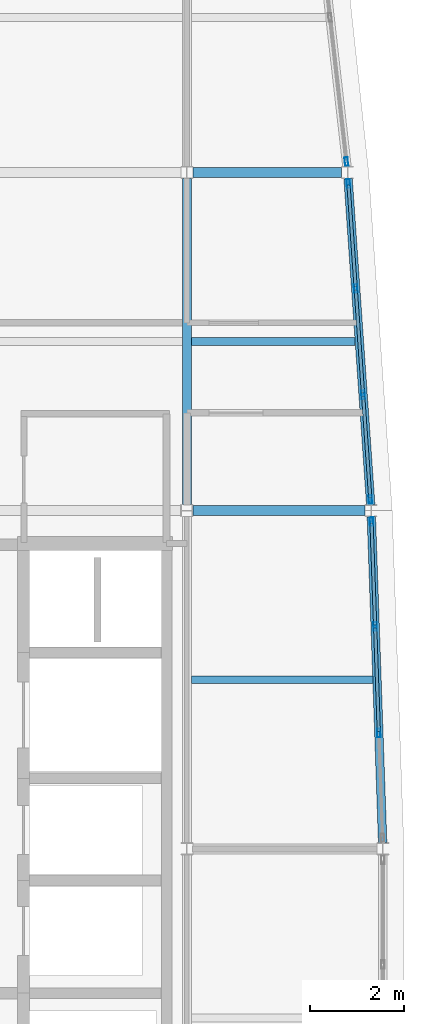
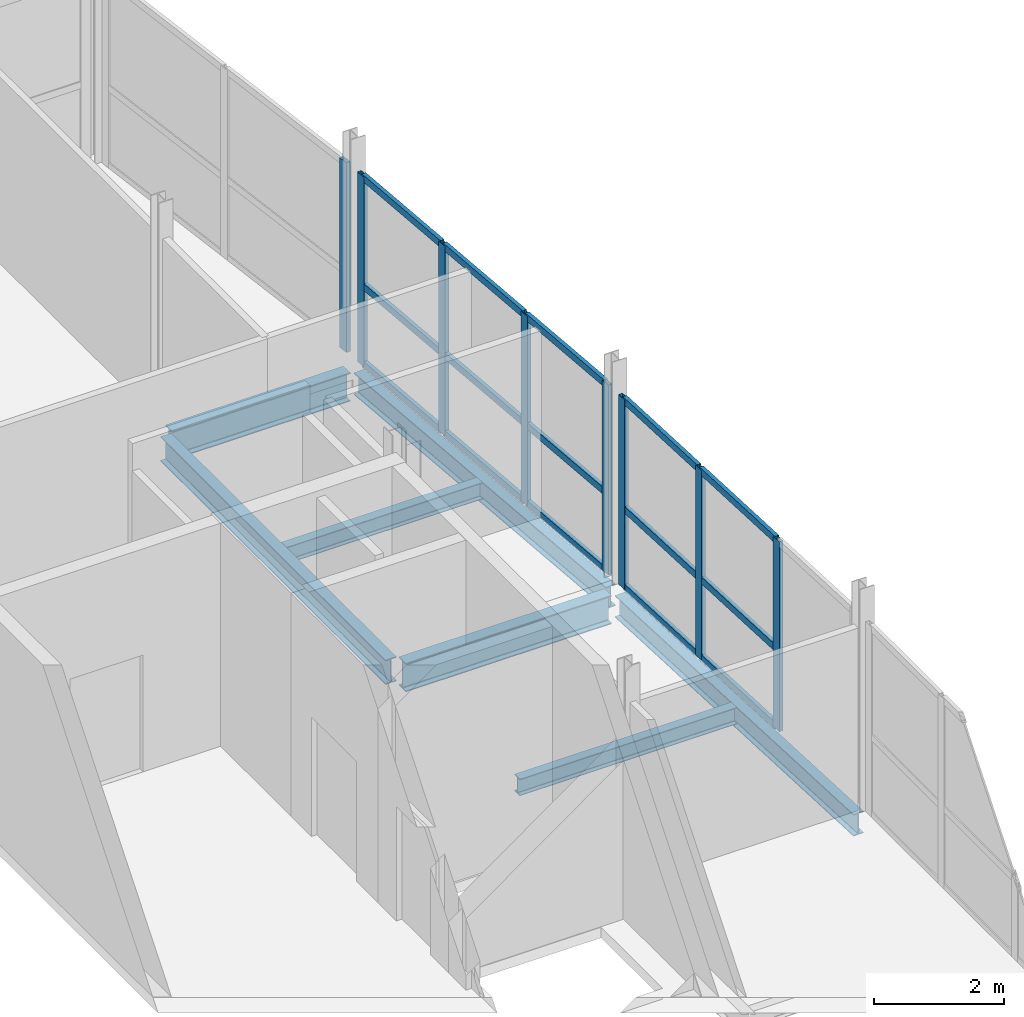
# One storey, part 5 of 14: 23 members, 7 beams, 3 elements without a shape of their own.
"""IFC4 building model written with IfcOpenShell, lengths in metres."""

from ifc_helpers import new_model, si_unit, direction, frame, origin, origin_2d, place, context, subcontext, project, spatial, hollow_rectangle, i_section, extrude, material, layer, layer_set, material_profile, profile_set, type_object, element, aggregate, save


model = new_model("IFC4")

# Units and contexts
model_context = context("Model", 3, precision=1e-05, world=origin(), true_north=direction((0.0, 1.0)))
body_context = subcontext(model_context, "Body", "Model", "MODEL_VIEW")
ifc_project = project(units=[si_unit("LENGTHUNIT", "METRE"), si_unit("AREAUNIT", "SQUARE_METRE"), si_unit("VOLUMEUNIT", "CUBIC_METRE"), si_unit("PLANEANGLEUNIT", "RADIAN"), si_unit("MASSUNIT", "GRAM", prefix="KILO")], contexts=[model_context])

# Site, building, storey
site_placement = place(None, origin())
site = spatial("IfcSite", under=ifc_project, at=site_placement, CompositionType="ELEMENT")
building_placement = place(site_placement, origin())
building = spatial("IfcBuilding", under=site, at=building_placement, Name="Quillay Park Conservatory", CompositionType="ELEMENT")
storey_placement = place(building_placement, frame((0.0, 0.0, 64.5)))
storey = spatial("IfcBuildingStorey", under=building, at=storey_placement, Name="L15", CompositionType="ELEMENT", Elevation=64.5)

# Beams
ifc_material_1 = material(Name="Steel ASTM A992 Grade 50", Category="steel")
ifc_material_profile_1 = material_profile(ifc_material_1, i_section(OverallWidth=0.166015625, OverallDepth=0.31298828125, WebThickness=0.006591796875, FlangeThickness=0.01123046875, FilletRadius=0.010009765625, at=origin_2d()), Name="W310x45")
ifc_profile_set_1 = profile_set([ifc_material_profile_1], Name="Steel ASTM A992 Grade 50")
beam_type_1 = type_object("IfcBeamType", Name="COMPOSITE FLOOR JOIST W310 X45", PredefinedType="JOIST", material=ifc_profile_set_1)
beam_1_placement = place(storey_placement, frame((19.845947265625, 96.0, -0.3564453125), z_axis=(1.0, 0.0, 0.0), x_axis=(0.0, 1.0, 0.0)))
element("IfcBeam", 1, at=beam_1_placement, inside=storey, type_object=beam_type_1, Name="L15 beam BM-J-1033", PredefinedType="JOIST", context=body_context, shape_type="SweptSolid", body=[
    extrude(i_section(OverallWidth=0.166015625, OverallDepth=0.31298828125, WebThickness=0.006591796875, FlangeThickness=0.01123046875, FilletRadius=0.010009765625, at=origin_2d()), origin(), (0.0, 0.0, 1.0), 3.864013671875),
])
beam_2_placement = place(storey_placement, frame((19.845947265625, 103.199951171875, -0.3564453125), z_axis=(1.0, 0.0, 0.0), x_axis=(0.0, 1.0, 0.0)))
element("IfcBeam", 2, at=beam_2_placement, inside=storey, type_object=beam_type_1, Name="L15 beam BM-J-1039", PredefinedType="JOIST", context=body_context, shape_type="SweptSolid", body=[
    extrude(i_section(OverallWidth=0.166015625, OverallDepth=0.31298828125, WebThickness=0.006591796875, FlangeThickness=0.01123046875, FilletRadius=0.010009765625, at=origin_2d()), origin(), (0.0, 0.0, 1.0), 3.489013671875),
])

# Curtain wall, members
ifc_material_2 = material(Name="Thermally Broken Anodised Aluminium 6063-T6", Category="aluminium")
ifc_layer = layer(ifc_material_2, 0.179931640625)
ifc_layer_set = layer_set([ifc_layer], Name="UNITISED CURTAIN WALL TOWER (Thermally Broken Anodised Aluminium 6063-T6)")
curtain_wall_type = type_object("IfcCurtainWallType", Name="UNITISED CURTAIN WALL TOWER", PredefinedType="USERDEFINED", material=ifc_layer_set)
curtain_wall_1_placement = place(storey_placement, origin())
curtain_wall_1 = element("IfcCurtainWall", 3, at=curtain_wall_1_placement, inside=storey, type_object=curtain_wall_type, Name="L15 Unitised Curtain Wall 141", ObjectType="UNITISED CURTAIN WALL", PredefinedType="USERDEFINED")
ifc_material_3 = material(Name="Thermally Broken Anodised Aluminium 6063-T6", Category="aluminium")
ifc_material_profile_2 = material_profile(ifc_material_3, hollow_rectangle(XDim=0.070068359375, YDim=0.179931640625, WallThickness=0.00390625, at=origin_2d()), Name="AL70x180x4")
ifc_profile_set_2 = profile_set([ifc_material_profile_2], Name="Thermally Broken Anodised Aluminium 6063-T6")
member_type_1 = type_object("IfcMemberType", Name="CURTAIN WALL MULLION 70 X180", PredefinedType="MULLION", material=ifc_profile_set_2)
member_1_placement = place(storey_placement, frame((23.68310546875, 99.365234375, 0.0), z_axis=(0.0, 0.0, 1.0), x_axis=(0.999397310446, 0.034713338537, 0.0)))
member_1 = element("IfcMember", 4, at=member_1_placement, type_object=member_type_1, Name="CW-T1 mullion 1", PredefinedType="MULLION", context=body_context, shape_type="SweptSolid", body=[
    extrude(hollow_rectangle(XDim=0.070068359375, YDim=0.179931640625, WallThickness=0.00390625, at=origin_2d()), origin(), (0.0, 0.0, 1.0), 3.573974609375),
])
member_2_placement = place(storey_placement, frame((23.7607421875, 97.13330078125, 0.0), z_axis=(0.0, 0.0, 1.0), x_axis=(0.999397310446, 0.034713338537, 0.0)))
member_2 = element("IfcMember", 5, at=member_2_placement, type_object=member_type_1, Name="CW-T1 mullion 2", PredefinedType="MULLION", context=body_context, shape_type="SweptSolid", body=[
    extrude(hollow_rectangle(XDim=0.070068359375, YDim=0.179931640625, WallThickness=0.00390625, at=origin_2d()), origin(), (0.0, 0.0, 1.0), 3.573974609375),
])
member_3_placement = place(storey_placement, frame((23.83935546875, 94.86669921875, 0.0), z_axis=(0.0, 0.0, 1.0), x_axis=(0.999397310446, 0.034713338537, 0.0)))
member_3 = element("IfcMember", 6, at=member_3_placement, type_object=member_type_1, Name="CW-T1 mullion 3", PredefinedType="MULLION", context=body_context, shape_type="SweptSolid", body=[
    extrude(hollow_rectangle(XDim=0.070068359375, YDim=0.179931640625, WallThickness=0.00390625, at=origin_2d()), origin(), (0.0, 0.0, 1.0), 3.573974609375),
])

curtain_wall_2_placement = place(storey_placement, origin())
curtain_wall_2 = element("IfcCurtainWall", 7, at=curtain_wall_2_placement, inside=storey, type_object=curtain_wall_type, Name="L15 Unitised Curtain Wall 142", ObjectType="UNITISED CURTAIN WALL", PredefinedType="USERDEFINED")
member_4_placement = place(storey_placement, frame((23.19140625, 106.565673828125, 0.0), z_axis=(0.0, 0.0, 1.0), x_axis=(0.99759835015, 0.069264217159, 0.0)))
member_4 = element("IfcMember", 8, at=member_4_placement, type_object=member_type_1, Name="CW-T1 mullion 1", PredefinedType="MULLION", context=body_context, shape_type="SweptSolid", body=[
    extrude(hollow_rectangle(XDim=0.070068359375, YDim=0.179931640625, WallThickness=0.00390625, at=origin_2d()), origin(), (0.0, 0.0, 1.0), 3.573974609375),
])
member_5_placement = place(storey_placement, frame((23.34619140625, 104.33349609375, 0.0), z_axis=(0.0, 0.0, 1.0), x_axis=(0.99759835015, 0.069264217159, 0.0)))
member_5 = element("IfcMember", 9, at=member_5_placement, type_object=member_type_1, Name="CW-T1 mullion 2", PredefinedType="MULLION", context=body_context, shape_type="SweptSolid", body=[
    extrude(hollow_rectangle(XDim=0.070068359375, YDim=0.179931640625, WallThickness=0.00390625, at=origin_2d()), origin(), (0.0, 0.0, 1.0), 3.573974609375),
])
member_6_placement = place(storey_placement, frame((23.503662109375, 102.06640625, 0.0), z_axis=(0.0, 0.0, 1.0), x_axis=(0.99759835015, 0.069264217159, 0.0)))
member_6 = element("IfcMember", 10, at=member_6_placement, type_object=member_type_1, Name="CW-T1 mullion 3", PredefinedType="MULLION", context=body_context, shape_type="SweptSolid", body=[
    extrude(hollow_rectangle(XDim=0.070068359375, YDim=0.179931640625, WallThickness=0.00390625, at=origin_2d()), origin(), (0.0, 0.0, 1.0), 3.573974609375),
])
member_7_placement = place(storey_placement, frame((23.65869140625, 99.83447265625, 0.0), z_axis=(0.0, 0.0, 1.0), x_axis=(0.99759835015, 0.069264217159, 0.0)))
member_7 = element("IfcMember", 11, at=member_7_placement, type_object=member_type_1, Name="CW-T1 mullion 4", PredefinedType="MULLION", context=body_context, shape_type="SweptSolid", body=[
    extrude(hollow_rectangle(XDim=0.070068359375, YDim=0.179931640625, WallThickness=0.00390625, at=origin_2d()), origin(), (0.0, 0.0, 1.0), 3.573974609375),
])

# Curtain wall, member
curtain_wall_3_placement = place(storey_placement, origin())
curtain_wall_3 = element("IfcCurtainWall", 12, at=curtain_wall_3_placement, inside=storey, type_object=curtain_wall_type, Name="L15 Unitised Curtain Wall 143", ObjectType="UNITISED CURTAIN WALL", PredefinedType="USERDEFINED")
member_8_placement = place(storey_placement, frame((23.1484375, 107.033447265625, 0.0), z_axis=(0.0, 0.0, 1.0), x_axis=(0.993605989969, 0.112903218278, 0.0)))
member_8 = element("IfcMember", 13, at=member_8_placement, type_object=member_type_1, Name="CW-T1 mullion 3", PredefinedType="MULLION", context=body_context, shape_type="SweptSolid", body=[
    extrude(hollow_rectangle(XDim=0.070068359375, YDim=0.179931640625, WallThickness=0.00390625, at=origin_2d()), origin(), (0.0, 0.0, 1.0), 3.573974609375),
])
aggregate(curtain_wall_3, [member_8])

# Member
ifc_material_4 = material(Name="Thermally Broken Anodised Aluminium 6063-T6", Category="aluminium")
ifc_material_profile_3 = material_profile(ifc_material_4, hollow_rectangle(XDim=0.070068359375, YDim=0.1298828125, WallThickness=0.003173828125, at=origin_2d()), Name="AL70x130x3.2")
ifc_profile_set_3 = profile_set([ifc_material_profile_3], Name="Thermally Broken Anodised Aluminium 6063-T6")
member_type_2 = type_object("IfcMemberType", Name="CURTAIN WALL TRANSOM 70 X130", PredefinedType="USERDEFINED", material=ifc_profile_set_3)
member_9_placement = place(storey_placement, frame((23.684326171875, 99.330078125, 0.034912109375), z_axis=(0.034765508592, -0.999395496994, 0.0), x_axis=(0.999395496994, 0.034765508592, 0.0)))
member_9 = element("IfcMember", 14, at=member_9_placement, type_object=member_type_2, Name="CW-T1 transom 1.1", ObjectType="TRANSOM", PredefinedType="USERDEFINED", context=body_context, shape_type="SweptSolid", body=[
    extrude(hollow_rectangle(XDim=0.070068359375, YDim=0.1298828125, WallThickness=0.003173828125, at=origin_2d()), origin(), (0.0, 0.0, 1.0), 2.162841796875),
])

member_10_placement = place(storey_placement, frame((23.684326171875, 99.330078125, 1.501220703125), z_axis=(0.034765508592, -0.999395496994, 0.0), x_axis=(0.999395496994, 0.034765508592, 0.0)))
member_10 = element("IfcMember", 15, at=member_10_placement, type_object=member_type_2, Name="CW-T1 transom 1.2", ObjectType="TRANSOM", PredefinedType="USERDEFINED", context=body_context, shape_type="SweptSolid", body=[
    extrude(hollow_rectangle(XDim=0.070068359375, YDim=0.1298828125, WallThickness=0.003173828125, at=origin_2d()), origin(), (0.0, 0.0, 1.0), 2.162841796875),
])

member_11_placement = place(storey_placement, frame((23.684326171875, 99.330078125, 3.5390625), z_axis=(0.034765508592, -0.999395496994, 0.0), x_axis=(0.999395496994, 0.034765508592, 0.0)))
member_11 = element("IfcMember", 16, at=member_11_placement, type_object=member_type_2, Name="CW-T1 transom 1.3", ObjectType="TRANSOM", PredefinedType="USERDEFINED", context=body_context, shape_type="SweptSolid", body=[
    extrude(hollow_rectangle(XDim=0.070068359375, YDim=0.1298828125, WallThickness=0.003173828125, at=origin_2d()), origin(), (0.0, 0.0, 1.0), 2.162841796875),
])

member_12_placement = place(storey_placement, frame((23.761962890625, 97.098388671875, 0.034912109375), z_axis=(0.034653546152, -0.999399385501, 0.0), x_axis=(0.999399385501, 0.034653546152, 0.0)))
member_12 = element("IfcMember", 17, at=member_12_placement, type_object=member_type_2, Name="CW-T1 transom 2.1", ObjectType="TRANSOM", PredefinedType="USERDEFINED", context=body_context, shape_type="SweptSolid", body=[
    extrude(hollow_rectangle(XDim=0.070068359375, YDim=0.1298828125, WallThickness=0.003173828125, at=origin_2d()), origin(), (0.0, 0.0, 1.0), 2.197998046875),
])

member_13_placement = place(storey_placement, frame((23.761962890625, 97.098388671875, 1.501220703125), z_axis=(0.034653546152, -0.999399385501, 0.0), x_axis=(0.999399385501, 0.034653546152, 0.0)))
member_13 = element("IfcMember", 18, at=member_13_placement, type_object=member_type_2, Name="CW-T1 transom 2.2", ObjectType="TRANSOM", PredefinedType="USERDEFINED", context=body_context, shape_type="SweptSolid", body=[
    extrude(hollow_rectangle(XDim=0.070068359375, YDim=0.1298828125, WallThickness=0.003173828125, at=origin_2d()), origin(), (0.0, 0.0, 1.0), 2.197998046875),
])

member_14_placement = place(storey_placement, frame((23.761962890625, 97.098388671875, 3.5390625), z_axis=(0.034653546152, -0.999399385501, 0.0), x_axis=(0.999399385501, 0.034653546152, 0.0)))
member_14 = element("IfcMember", 19, at=member_14_placement, type_object=member_type_2, Name="CW-T1 transom 2.3", ObjectType="TRANSOM", PredefinedType="USERDEFINED", context=body_context, shape_type="SweptSolid", body=[
    extrude(hollow_rectangle(XDim=0.070068359375, YDim=0.1298828125, WallThickness=0.003173828125, at=origin_2d()), origin(), (0.0, 0.0, 1.0), 2.197998046875),
])

aggregate(curtain_wall_1, [member_1, member_2, member_3, member_9, member_10, member_11, member_12, member_13, member_14])

member_15_placement = place(storey_placement, frame((23.19384765625, 106.53076171875, 0.034912109375), z_axis=(0.069269814421, -0.997597961511, 0.0), x_axis=(0.997597961511, 0.069269814421, 0.0)))
member_15 = element("IfcMember", 20, at=member_15_placement, type_object=member_type_2, Name="CW-T1 transom 1.1", ObjectType="TRANSOM", PredefinedType="USERDEFINED", context=body_context, shape_type="SweptSolid", body=[
    extrude(hollow_rectangle(XDim=0.070068359375, YDim=0.1298828125, WallThickness=0.003173828125, at=origin_2d()), origin(), (0.0, 0.0, 1.0), 2.16748046875),
])

member_16_placement = place(storey_placement, frame((23.19384765625, 106.53076171875, 1.501220703125), z_axis=(0.069269814421, -0.997597961511, 0.0), x_axis=(0.997597961511, 0.069269814421, 0.0)))
member_16 = element("IfcMember", 21, at=member_16_placement, type_object=member_type_2, Name="CW-T1 transom 1.2", ObjectType="TRANSOM", PredefinedType="USERDEFINED", context=body_context, shape_type="SweptSolid", body=[
    extrude(hollow_rectangle(XDim=0.070068359375, YDim=0.1298828125, WallThickness=0.003173828125, at=origin_2d()), origin(), (0.0, 0.0, 1.0), 2.16748046875),
])

member_17_placement = place(storey_placement, frame((23.19384765625, 106.53076171875, 3.5390625), z_axis=(0.069269814421, -0.997597961511, 0.0), x_axis=(0.997597961511, 0.069269814421, 0.0)))
member_17 = element("IfcMember", 22, at=member_17_placement, type_object=member_type_2, Name="CW-T1 transom 1.3", ObjectType="TRANSOM", PredefinedType="USERDEFINED", context=body_context, shape_type="SweptSolid", body=[
    extrude(hollow_rectangle(XDim=0.070068359375, YDim=0.1298828125, WallThickness=0.003173828125, at=origin_2d()), origin(), (0.0, 0.0, 1.0), 2.16748046875),
])

member_18_placement = place(storey_placement, frame((23.3486328125, 104.298583984375, 0.034912109375), z_axis=(0.069277598678, -0.997597420968, 0.0), x_axis=(0.997597420968, 0.069277598678, 0.0)))
member_18 = element("IfcMember", 23, at=member_18_placement, type_object=member_type_2, Name="CW-T1 transom 2.1", ObjectType="TRANSOM", PredefinedType="USERDEFINED", context=body_context, shape_type="SweptSolid", body=[
    extrude(hollow_rectangle(XDim=0.070068359375, YDim=0.1298828125, WallThickness=0.003173828125, at=origin_2d()), origin(), (0.0, 0.0, 1.0), 2.20263671875),
])

member_19_placement = place(storey_placement, frame((23.3486328125, 104.298583984375, 1.501220703125), z_axis=(0.069277598678, -0.997597420968, 0.0), x_axis=(0.997597420968, 0.069277598678, 0.0)))
member_19 = element("IfcMember", 24, at=member_19_placement, type_object=member_type_2, Name="CW-T1 transom 2.2", ObjectType="TRANSOM", PredefinedType="USERDEFINED", context=body_context, shape_type="SweptSolid", body=[
    extrude(hollow_rectangle(XDim=0.070068359375, YDim=0.1298828125, WallThickness=0.003173828125, at=origin_2d()), origin(), (0.0, 0.0, 1.0), 2.20263671875),
])

member_20_placement = place(storey_placement, frame((23.3486328125, 104.298583984375, 3.5390625), z_axis=(0.069277598678, -0.997597420968, 0.0), x_axis=(0.997597420968, 0.069277598678, 0.0)))
member_20 = element("IfcMember", 25, at=member_20_placement, type_object=member_type_2, Name="CW-T1 transom 2.3", ObjectType="TRANSOM", PredefinedType="USERDEFINED", context=body_context, shape_type="SweptSolid", body=[
    extrude(hollow_rectangle(XDim=0.070068359375, YDim=0.1298828125, WallThickness=0.003173828125, at=origin_2d()), origin(), (0.0, 0.0, 1.0), 2.20263671875),
])

member_21_placement = place(storey_placement, frame((23.506103515625, 102.031494140625, 0.034912109375), z_axis=(0.069277598678, -0.997597420968, 0.0), x_axis=(0.997597420968, 0.069277598678, 0.0)))
member_21 = element("IfcMember", 26, at=member_21_placement, type_object=member_type_2, Name="CW-T1 transom 3.1", ObjectType="TRANSOM", PredefinedType="USERDEFINED", context=body_context, shape_type="SweptSolid", body=[
    extrude(hollow_rectangle(XDim=0.070068359375, YDim=0.1298828125, WallThickness=0.003173828125, at=origin_2d()), origin(), (0.0, 0.0, 1.0), 2.167236328125),
])

member_22_placement = place(storey_placement, frame((23.506103515625, 102.031494140625, 1.501220703125), z_axis=(0.069277598678, -0.997597420968, 0.0), x_axis=(0.997597420968, 0.069277598678, 0.0)))
member_22 = element("IfcMember", 27, at=member_22_placement, type_object=member_type_2, Name="CW-T1 transom 3.2", ObjectType="TRANSOM", PredefinedType="USERDEFINED", context=body_context, shape_type="SweptSolid", body=[
    extrude(hollow_rectangle(XDim=0.070068359375, YDim=0.1298828125, WallThickness=0.003173828125, at=origin_2d()), origin(), (0.0, 0.0, 1.0), 2.167236328125),
])

member_23_placement = place(storey_placement, frame((23.506103515625, 102.031494140625, 3.5390625), z_axis=(0.069277598678, -0.997597420968, 0.0), x_axis=(0.997597420968, 0.069277598678, 0.0)))
member_23 = element("IfcMember", 28, at=member_23_placement, type_object=member_type_2, Name="CW-T1 transom 3.3", ObjectType="TRANSOM", PredefinedType="USERDEFINED", context=body_context, shape_type="SweptSolid", body=[
    extrude(hollow_rectangle(XDim=0.070068359375, YDim=0.1298828125, WallThickness=0.003173828125, at=origin_2d()), origin(), (0.0, 0.0, 1.0), 2.167236328125),
])

aggregate(curtain_wall_2, [member_4, member_5, member_6, member_7, member_15, member_16, member_17, member_18, member_19, member_20, member_21, member_22, member_23])

# Beams
ifc_material_5 = material(Name="Steel ASTM A992 Grade 50", Category="steel")
ifc_material_profile_4 = material_profile(ifc_material_5, i_section(OverallWidth=0.179931640625, OverallDepth=0.4130859375, WebThickness=0.009765625, FlangeThickness=0.01611328125, FilletRadius=0.011962890625, at=origin_2d()), Name="W410x74")
ifc_profile_set_4 = profile_set([ifc_material_profile_4], Name="Steel ASTM A992 Grade 50")
beam_type_2 = type_object("IfcBeamType", Name="PERIMETER SPANDREL BEAM W410 X74", PredefinedType="SPANDREL", material=ifc_profile_set_4)
beam_3_placement = place(storey_placement, frame((23.92041015625, 92.52978515625, -0.406494140625), z_axis=(-0.034698383917, 0.999397829772, 0.0), x_axis=(-0.999397829772, -0.034698383917, 0.0)))
element("IfcBeam", 29, at=beam_3_placement, inside=storey, type_object=beam_type_2, Name="L15 beam BM-SPE-1029", PredefinedType="SPANDREL", context=body_context, shape_type="SweptSolid", body=[
    extrude(i_section(OverallWidth=0.179931640625, OverallDepth=0.4130859375, WebThickness=0.009765625, FlangeThickness=0.01611328125, FilletRadius=0.011962890625, at=origin_2d()), origin(), (0.0, 0.0, 1.0), 6.944580078125),
])
beam_4_placement = place(storey_placement, frame((23.666015625, 99.729736328125, -0.406494140625), z_axis=(-0.069269353099, 0.997597993543, 0.0), x_axis=(-0.997597993543, -0.069269353099, 0.0)))
element("IfcBeam", 30, at=beam_4_placement, inside=storey, type_object=beam_type_2, Name="L15 beam BM-SPE-1035", PredefinedType="SPANDREL", context=body_context, shape_type="SweptSolid", body=[
    extrude(i_section(OverallWidth=0.179931640625, OverallDepth=0.4130859375, WebThickness=0.009765625, FlangeThickness=0.01611328125, FilletRadius=0.011962890625, at=origin_2d()), origin(), (0.0, 0.0, 1.0), 6.957275390625),
])
ifc_material_6 = material(Name="Steel ASTM A992 Grade 50", Category="steel")
ifc_material_profile_5 = material_profile(ifc_material_6, i_section(OverallWidth=0.19189453125, OverallDepth=0.462890625, WebThickness=0.010498046875, FlangeThickness=0.017578125, FilletRadius=0.012939453125, at=origin_2d()), Name="W460x89")
ifc_profile_set_5 = profile_set([ifc_material_profile_5], Name="Steel ASTM A992 Grade 50")
beam_type_3 = type_object("IfcBeamType", Name="PRIMARY FLOOR GIRDER W460 X89", PredefinedType="BEAM", material=ifc_profile_set_5)
beam_5_placement = place(storey_placement, frame((19.75, 99.72802734375, -0.431396484375), z_axis=(0.0, 1.0, 0.0), x_axis=(-1.0, 0.0, 0.0)))
element("IfcBeam", 31, at=beam_5_placement, inside=storey, type_object=beam_type_3, Name="L15 beam BM-GNS-1037", PredefinedType="BEAM", context=body_context, shape_type="SweptSolid", body=[
    extrude(i_section(OverallWidth=0.19189453125, OverallDepth=0.462890625, WebThickness=0.010498046875, FlangeThickness=0.017578125, FilletRadius=0.012939453125, at=origin_2d()), origin(), (0.0, 0.0, 1.0), 6.94189453125),
])
ifc_material_7 = material(Name="Steel ASTM A992 Grade 50", Category="steel")
ifc_material_profile_6 = material_profile(ifc_material_7, i_section(OverallWidth=0.2109375, OverallDepth=0.5390625, WebThickness=0.01171875, FlangeThickness=0.018798828125, FilletRadius=0.013916015625, at=origin_2d()), Name="W530x109")
ifc_profile_set_6 = profile_set([ifc_material_profile_6], Name="Steel ASTM A992 Grade 50")
beam_type_4 = type_object("IfcBeamType", Name="PRIMARY FLOOR GIRDER W530 X109", PredefinedType="BEAM", material=ifc_profile_set_6)
beam_6_placement = place(storey_placement, frame((19.8798828125, 99.60009765625, -0.469482421875), z_axis=(1.0, 0.0, 0.0), x_axis=(0.0, 1.0, 0.0)))
element("IfcBeam", 32, at=beam_6_placement, inside=storey, type_object=beam_type_4, Name="L15 beam BM-G-1009", PredefinedType="BEAM", context=body_context, shape_type="SweptSolid", body=[
    extrude(i_section(OverallWidth=0.2109375, OverallDepth=0.5390625, WebThickness=0.01171875, FlangeThickness=0.018798828125, FilletRadius=0.013916015625, at=origin_2d()), origin(), (0.0, 0.0, 1.0), 3.667236328125),
])
beam_7_placement = place(storey_placement, frame((19.8779296875, 106.800048828125, -0.469482421875), z_axis=(1.0, 0.0, 0.0), x_axis=(0.0, 1.0, 0.0)))
element("IfcBeam", 33, at=beam_7_placement, inside=storey, type_object=beam_type_4, Name="L15 beam BM-G-1012", PredefinedType="BEAM", context=body_context, shape_type="SweptSolid", body=[
    extrude(i_section(OverallWidth=0.2109375, OverallDepth=0.5390625, WebThickness=0.01171875, FlangeThickness=0.018798828125, FilletRadius=0.013916015625, at=origin_2d()), origin(), (0.0, 0.0, 1.0), 3.169189453125),
])

save(model, "model.ifc")
